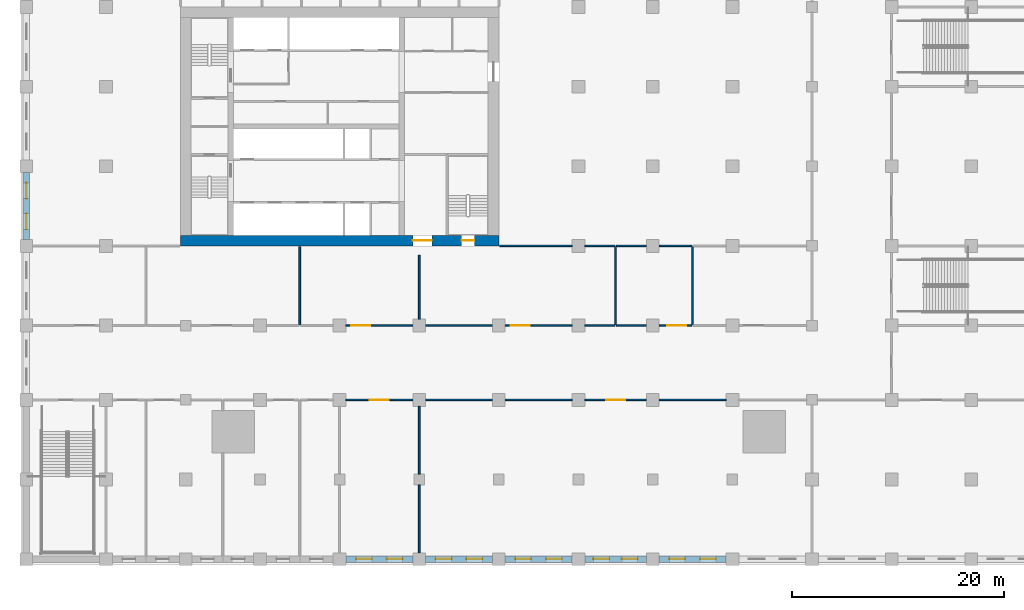
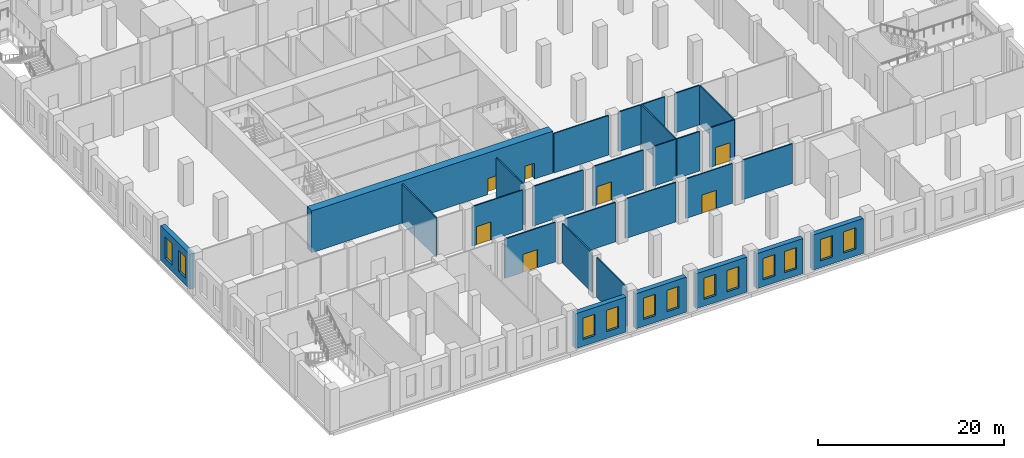
# One storey, part 4 of 25: 28 walls, 12 windows, 7 doors, 19 openings.
"""IFC4 building model written with IfcOpenShell, lengths in metres."""

from ifc_helpers import new_model, si_unit, direction, frame, frame_2d, origin, place, context, subcontext, project, spatial, rectangle, extrude, material, layer, layer_set, type_object, element, fill, save


model = new_model("IFC4")

# Units and contexts
model_context = context("Model", 3, precision=1e-05, world=origin(), true_north=direction((0.0, 1.0)))
body_context = subcontext(model_context, "Body", "Model", "MODEL_VIEW")
ifc_project = project(units=[si_unit("LENGTHUNIT", "METRE"), si_unit("AREAUNIT", "SQUARE_METRE"), si_unit("VOLUMEUNIT", "CUBIC_METRE"), si_unit("PLANEANGLEUNIT", "RADIAN"), si_unit("MASSUNIT", "GRAM", prefix="KILO")], contexts=[model_context])

# Site, building, storey
site_placement = place(None, origin())
site = spatial("IfcSite", under=ifc_project, at=site_placement, CompositionType="ELEMENT")
building_placement = place(site_placement, origin())
building = spatial("IfcBuilding", under=site, at=building_placement, Name="Tamorin Gate", CompositionType="ELEMENT")
storey_placement = place(building_placement, frame((0.0, 0.0, 23.5)))
storey = spatial("IfcBuildingStorey", under=building, at=storey_placement, Name="L04", CompositionType="ELEMENT", Elevation=23.5)

# Wall, opening, door
ifc_material_1 = material(Name="Concrete masonry C20/25", Category="masonry")
ifc_layer_1 = layer(ifc_material_1, 0.14990234375)
ifc_layer_set_1 = layer_set([ifc_layer_1], Name="Partition 150")
wall_type_1 = type_object("IfcWallType", Name="Partition 150", PredefinedType="PARTITIONING", material=ifc_layer_set_1)
wall_1_placement = place(storey_placement, frame((45.60009765625, 45.5, 0.0), z_axis=(0.0, 0.0, 1.0), x_axis=(1.0, 0.0, 0.0)))
wall_1 = element("IfcWall", 1, at=wall_1_placement, inside=storey, type_object=wall_type_1, Name="Partition 150 L04", PredefinedType="PARTITIONING", context=body_context, shape_type="SweptSolid", body=[
    extrude(rectangle(XDim=6.2998046875, YDim=0.14990234375, at=frame_2d((3.14990234375, 0.0))), origin(), (0.0, 0.0, 1.0), 5.199951171875),
])
opening_1_placement = place(wall_1_placement, frame((2.25, 0.0, 0.0)))
opening_1 = element("IfcOpeningElement", 2, at=opening_1_placement, cuts=wall_1, Name="Opening DP3", PredefinedType="OPENING", context=body_context, shape_type="SweptSolid", body=[
    extrude(rectangle(XDim=1.800048828125, YDim=2.39990234375, at=frame_2d((0.89990234375, 1.199951171875))), frame((0.0, 0.0849609375, 0.0), z_axis=(0.0, -1.0, 0.0), x_axis=(1.0, 0.0, 0.0)), (0.0, 0.0, 1.0), 0.169921875),
])
ifc_material_2 = material(Name="Steel and glass", Category="steel")
door_type_1 = type_object("IfcDoorType", Name="Door pair 1800", OperationType="DOUBLE_DOOR_SINGLE_SWING", PredefinedType="DOOR", material=ifc_material_2)
door_1_placement = place(opening_1_placement, origin())
door_1 = element("IfcDoor", 3, at=door_1_placement, inside=storey, type_object=door_type_1, Name="Door pair 1800 L04", OperationType="SINGLE_SWING_LEFT", OverallHeight=2.39990234375, OverallWidth=1.800048828125, PredefinedType="DOOR", context=body_context, shape_type="SweptSolid", body=[
    extrude(rectangle(XDim=1.800048828125, YDim=2.39990234375, at=frame_2d((0.89990234375, 1.199951171875))), frame((0.0, 0.02490234375, 0.0), z_axis=(0.0, -1.0, 0.0), x_axis=(1.0, 0.0, 0.0)), (0.0, 0.0, 1.0), 0.050048828125),
])
fill(opening_1, door_1)

# Walls
for number, where, z_axis, x_axis, name in (
    (4, (53.10009765625, 45.5, 0.0), (0.0, 0.0, 1.0), (1.0, 0.0, 0.0), "Partition 150 L04"),
    (5, (60.60009765625, 45.5, 0.0), (0.0, 0.0, 1.0), (1.0, 0.0, 0.0), "Partition 150 L04"),
):
    element("IfcWall", number, at=place(storey_placement, frame(where, z_axis=z_axis, x_axis=x_axis)), inside=storey, type_object=wall_type_1, Name=name, PredefinedType="PARTITIONING", context=body_context, shape_type="SweptSolid", body=[
        extrude(rectangle(XDim=6.2998046875, YDim=0.14990234375, at=frame_2d((3.14990234375, 0.0))), origin(), (0.0, 0.0, 1.0), 5.199951171875),
    ])

# Wall, opening, door
wall_2_placement = place(storey_placement, frame((68.10009765625, 45.5, 0.0), z_axis=(0.0, 0.0, 1.0), x_axis=(1.0, 0.0, 0.0)))
wall_2 = element("IfcWall", 6, at=wall_2_placement, inside=storey, type_object=wall_type_1, Name="Partition 150 L04", PredefinedType="PARTITIONING", context=body_context, shape_type="SweptSolid", body=[
    extrude(rectangle(XDim=5.7998046875, YDim=0.14990234375, at=frame_2d((2.89990234375, 0.0))), origin(), (0.0, 0.0, 1.0), 5.199951171875),
])
opening_2_placement = place(wall_2_placement, frame((2.0, 0.0, 0.0)))
opening_2 = element("IfcOpeningElement", 7, at=opening_2_placement, cuts=wall_2, Name="Opening DP3", PredefinedType="OPENING", context=body_context, shape_type="SweptSolid", body=[
    extrude(rectangle(XDim=1.800048828125, YDim=2.39990234375, at=frame_2d((0.89990234375, 1.199951171875))), frame((0.0, 0.0849609375, 0.0), z_axis=(0.0, -1.0, 0.0), x_axis=(1.0, 0.0, 0.0)), (0.0, 0.0, 1.0), 0.169921875),
])
door_2_placement = place(opening_2_placement, origin())
door_2 = element("IfcDoor", 8, at=door_2_placement, inside=storey, type_object=door_type_1, Name="Door pair 1800 L04", OperationType="SINGLE_SWING_LEFT", OverallHeight=2.39990234375, OverallWidth=1.800048828125, PredefinedType="DOOR", context=body_context, shape_type="SweptSolid", body=[
    extrude(rectangle(XDim=1.800048828125, YDim=2.39990234375, at=frame_2d((0.89990234375, 1.199951171875))), frame((0.0, 0.02490234375, 0.0), z_axis=(0.0, -1.0, 0.0), x_axis=(1.0, 0.0, 0.0)), (0.0, 0.0, 1.0), 0.050048828125),
])
fill(opening_2, door_2)

# Wall
wall_3_placement = place(storey_placement, frame((75.10009765625, 45.5, 0.0), z_axis=(0.0, 0.0, 1.0), x_axis=(1.0, 0.0, 0.0)))
element("IfcWall", 9, at=wall_3_placement, inside=storey, type_object=wall_type_1, Name="Partition 150 L04", PredefinedType="PARTITIONING", context=body_context, shape_type="SweptSolid", body=[
    extrude(rectangle(XDim=6.2998046875, YDim=0.14990234375, at=frame_2d((3.14990234375, 0.0))), origin(), (0.0, 0.0, 1.0), 5.199951171875),
])

# Wall, opening, door
wall_4_placement = place(storey_placement, frame((51.89990234375, 52.5, 0.0), z_axis=(0.0, 0.0, 1.0), x_axis=(-1.0, 0.0, 0.0)))
wall_4 = element("IfcWall", 10, at=wall_4_placement, inside=storey, type_object=wall_type_1, Name="Partition 150 L04", PredefinedType="PARTITIONING", context=body_context, shape_type="SweptSolid", body=[
    extrude(rectangle(XDim=6.2998046875, YDim=0.14990234375, at=frame_2d((3.14990234375, 0.0))), origin(), (0.0, 0.0, 1.0), 5.199951171875),
])
opening_3_placement = place(wall_4_placement, frame((4.0, 0.0, 0.0)))
opening_3 = element("IfcOpeningElement", 11, at=opening_3_placement, cuts=wall_4, Name="Opening DP3", PredefinedType="OPENING", context=body_context, shape_type="SweptSolid", body=[
    extrude(rectangle(XDim=1.800048828125, YDim=2.39990234375, at=frame_2d((0.89990234375, 1.199951171875))), frame((0.0, 0.0849609375, 0.0), z_axis=(0.0, -1.0, 0.0), x_axis=(1.0, 0.0, 0.0)), (0.0, 0.0, 1.0), 0.169921875),
])
door_3_placement = place(opening_3_placement, origin())
door_3 = element("IfcDoor", 12, at=door_3_placement, inside=storey, type_object=door_type_1, Name="Door pair 1800 L04", OperationType="SINGLE_SWING_LEFT", OverallHeight=2.39990234375, OverallWidth=1.800048828125, PredefinedType="DOOR", context=body_context, shape_type="SweptSolid", body=[
    extrude(rectangle(XDim=1.800048828125, YDim=2.39990234375, at=frame_2d((0.89990234375, 1.199951171875))), frame((0.0, 0.02490234375, 0.0), z_axis=(0.0, -1.0, 0.0), x_axis=(1.0, 0.0, 0.0)), (0.0, 0.0, 1.0), 0.050048828125),
])
fill(opening_3, door_3)

# Wall
wall_5_placement = place(storey_placement, frame((53.10009765625, 52.5, 0.0), z_axis=(0.0, 0.0, 1.0), x_axis=(1.0, 0.0, 0.0)))
element("IfcWall", 13, at=wall_5_placement, inside=storey, type_object=wall_type_1, Name="Partition 150 L04", PredefinedType="PARTITIONING", context=body_context, shape_type="SweptSolid", body=[
    extrude(rectangle(XDim=6.2998046875, YDim=0.14990234375, at=frame_2d((3.14990234375, 0.0))), origin(), (0.0, 0.0, 1.0), 5.199951171875),
])

# Wall, opening, door
wall_6_placement = place(storey_placement, frame((66.89990234375, 52.5, 0.0), z_axis=(0.0, 0.0, 1.0), x_axis=(-1.0, 0.0, 0.0)))
wall_6 = element("IfcWall", 14, at=wall_6_placement, inside=storey, type_object=wall_type_1, Name="Partition 150 L04", PredefinedType="PARTITIONING", context=body_context, shape_type="SweptSolid", body=[
    extrude(rectangle(XDim=6.2998046875, YDim=0.14990234375, at=frame_2d((3.14990234375, 0.0))), origin(), (0.0, 0.0, 1.0), 5.199951171875),
])
opening_4_placement = place(wall_6_placement, frame((4.0, 0.0, 0.0)))
opening_4 = element("IfcOpeningElement", 15, at=opening_4_placement, cuts=wall_6, Name="Opening DP3", PredefinedType="OPENING", context=body_context, shape_type="SweptSolid", body=[
    extrude(rectangle(XDim=1.800048828125, YDim=2.39990234375, at=frame_2d((0.89990234375, 1.199951171875))), frame((0.0, 0.0849609375, 0.0), z_axis=(0.0, -1.0, 0.0), x_axis=(1.0, 0.0, 0.0)), (0.0, 0.0, 1.0), 0.169921875),
])
door_4_placement = place(opening_4_placement, origin())
door_4 = element("IfcDoor", 16, at=door_4_placement, inside=storey, type_object=door_type_1, Name="Door pair 1800 L04", OperationType="SINGLE_SWING_LEFT", OverallHeight=2.39990234375, OverallWidth=1.800048828125, PredefinedType="DOOR", context=body_context, shape_type="SweptSolid", body=[
    extrude(rectangle(XDim=1.800048828125, YDim=2.39990234375, at=frame_2d((0.89990234375, 1.199951171875))), frame((0.0, 0.02490234375, 0.0), z_axis=(0.0, -1.0, 0.0), x_axis=(1.0, 0.0, 0.0)), (0.0, 0.0, 1.0), 0.050048828125),
])
fill(opening_4, door_4)

# Walls
for number, where, z_axis, x_axis, name in (
    (17, (68.10009765625, 52.5, 0.0), (0.0, 0.0, 1.0), (1.0, 0.0, 0.0), "Partition 150 L04"),
    (18, (71.074951171875, 52.5, 0.0), (0.0, 0.0, 1.0), (1.0, 0.0, 0.0), "Partition 150 L04"),
):
    element("IfcWall", number, at=place(storey_placement, frame(where, z_axis=z_axis, x_axis=x_axis)), inside=storey, type_object=wall_type_1, Name=name, PredefinedType="PARTITIONING", context=body_context, shape_type="SweptSolid", body=[
        extrude(rectangle(XDim=2.824951171875, YDim=0.14990234375, at=frame_2d((1.41259765625, 0.0))), origin(), (0.0, 0.0, 1.0), 5.199951171875),
    ])

# Wall, opening, door
wall_7_placement = place(storey_placement, frame((78.175048828125, 52.5, 0.0), z_axis=(0.0, 0.0, 1.0), x_axis=(-1.0, 0.0, 0.0)))
wall_7 = element("IfcWall", 19, at=wall_7_placement, inside=storey, type_object=wall_type_1, Name="Partition 150 L04", PredefinedType="PARTITIONING", context=body_context, shape_type="SweptSolid", body=[
    extrude(rectangle(XDim=3.074951171875, YDim=0.14990234375, at=frame_2d((1.53759765625, 0.0))), origin(), (0.0, 0.0, 1.0), 5.199951171875),
])
opening_5_placement = place(wall_7_placement, frame((0.52490234375, 0.0, 0.0)))
opening_5 = element("IfcOpeningElement", 20, at=opening_5_placement, cuts=wall_7, Name="Opening DP3", PredefinedType="OPENING", context=body_context, shape_type="SweptSolid", body=[
    extrude(rectangle(XDim=1.800048828125, YDim=2.39990234375, at=frame_2d((0.89990234375, 1.199951171875))), frame((0.0, 0.0849609375, 0.0), z_axis=(0.0, -1.0, 0.0), x_axis=(1.0, 0.0, 0.0)), (0.0, 0.0, 1.0), 0.169921875),
])
door_5_placement = place(opening_5_placement, origin())
door_5 = element("IfcDoor", 21, at=door_5_placement, inside=storey, type_object=door_type_1, Name="Door pair 1800 L04", OperationType="SINGLE_SWING_LEFT", OverallHeight=2.39990234375, OverallWidth=1.800048828125, PredefinedType="DOOR", context=body_context, shape_type="SweptSolid", body=[
    extrude(rectangle(XDim=1.800048828125, YDim=2.39990234375, at=frame_2d((0.89990234375, 1.199951171875))), frame((0.0, 0.02490234375, 0.0), z_axis=(0.0, -1.0, 0.0), x_axis=(1.0, 0.0, 0.0)), (0.0, 0.0, 1.0), 0.050048828125),
])
fill(opening_5, door_5)

# Walls
wall_8_placement = place(storey_placement, frame((60.074951171875, 60.0, 0.0), z_axis=(0.0, 0.0, 1.0), x_axis=(1.0, 0.0, 0.0)))
element("IfcWall", 22, at=wall_8_placement, inside=storey, type_object=wall_type_1, Name="Partition 150 L04", PredefinedType="PARTITIONING", context=body_context, shape_type="SweptSolid", body=[
    extrude(rectangle(XDim=6.824951171875, YDim=0.14990234375, at=frame_2d((3.41259765625, 0.0))), origin(), (0.0, 0.0, 1.0), 5.199951171875),
])
for number, where, z_axis, x_axis, name in (
    (23, (68.10009765625, 60.0, 0.0), (0.0, 0.0, 1.0), (1.0, 0.0, 0.0), "Partition 150 L04"),
    (24, (71.074951171875, 60.0, 0.0), (0.0, 0.0, 1.0), (1.0, 0.0, 0.0), "Partition 150 L04"),
):
    element("IfcWall", number, at=place(storey_placement, frame(where, z_axis=z_axis, x_axis=x_axis)), inside=storey, type_object=wall_type_1, Name=name, PredefinedType="PARTITIONING", context=body_context, shape_type="SweptSolid", body=[
        extrude(rectangle(XDim=2.824951171875, YDim=0.14990234375, at=frame_2d((1.41259765625, 0.0))), origin(), (0.0, 0.0, 1.0), 5.199951171875),
    ])
wall_9_placement = place(storey_placement, frame((75.10009765625, 60.0, 0.0), z_axis=(0.0, 0.0, 1.0), x_axis=(1.0, 0.0, 0.0)))
element("IfcWall", 25, at=wall_9_placement, inside=storey, type_object=wall_type_1, Name="Partition 150 L04", PredefinedType="PARTITIONING", context=body_context, shape_type="SweptSolid", body=[
    extrude(rectangle(XDim=3.074951171875, YDim=0.14990234375, at=frame_2d((1.53759765625, 0.0))), origin(), (0.0, 0.0, 1.0), 5.199951171875),
])
wall_10_placement = place(storey_placement, frame((41.25, 52.574951171875, 0.0), z_axis=(0.0, 0.0, 1.0), x_axis=(0.0, 1.0, 0.0)))
element("IfcWall", 26, at=wall_10_placement, inside=storey, type_object=wall_type_1, Name="Partition 150 L04", PredefinedType="PARTITIONING", context=body_context, shape_type="SweptSolid", body=[
    extrude(rectangle(XDim=7.35009765625, YDim=0.14990234375, at=frame_2d((3.675048828125, 0.0))), origin(), (0.0, 0.0, 1.0), 5.199951171875),
])
for number, where, z_axis, x_axis, name in (
    (27, (52.5, 31.10009765625, 0.0), (0.0, 0.0, 1.0), (0.0, 1.0, 0.0), "Partition 150 L04"),
    (28, (52.5, 38.5, 0.0), (0.0, 0.0, 1.0), (0.0, 1.0, 0.0), "Partition 150 L04"),
):
    element("IfcWall", number, at=place(storey_placement, frame(where, z_axis=z_axis, x_axis=x_axis)), inside=storey, type_object=wall_type_1, Name=name, PredefinedType="PARTITIONING", context=body_context, shape_type="SweptSolid", body=[
        extrude(rectangle(XDim=6.39990234375, YDim=0.14990234375, at=frame_2d((3.199951171875, 0.0))), origin(), (0.0, 0.0, 1.0), 5.199951171875),
    ])
wall_11_placement = place(storey_placement, frame((52.5, 53.10009765625, 0.0), z_axis=(0.0, 0.0, 1.0), x_axis=(0.0, 1.0, 0.0)))
element("IfcWall", 29, at=wall_11_placement, inside=storey, type_object=wall_type_1, Name="Partition 150 L04", PredefinedType="PARTITIONING", context=body_context, shape_type="SweptSolid", body=[
    extrude(rectangle(XDim=6.0, YDim=0.14990234375, at=frame_2d((3.0, 0.0))), origin(), (0.0, 0.0, 1.0), 5.199951171875),
])
for number, where, z_axis, x_axis, name in (
    (30, (71.0, 52.574951171875, 0.0), (0.0, 0.0, 1.0), (0.0, 1.0, 0.0), "Partition 150 L04"),
    (31, (78.25, 52.574951171875, 0.0), (0.0, 0.0, 1.0), (0.0, 1.0, 0.0), "Partition 150 L04"),
):
    element("IfcWall", number, at=place(storey_placement, frame(where, z_axis=z_axis, x_axis=x_axis)), inside=storey, type_object=wall_type_1, Name=name, PredefinedType="PARTITIONING", context=body_context, shape_type="SweptSolid", body=[
        extrude(rectangle(XDim=7.35009765625, YDim=0.14990234375, at=frame_2d((3.675048828125, 0.0))), origin(), (0.0, 0.0, 1.0), 5.199951171875),
    ])

# Wall, openings, windows
ifc_material_3 = material(Name="Precast concrete C40/50", Category="concrete")
ifc_layer_2 = layer(ifc_material_3, 0.60009765625)
ifc_layer_set_2 = layer_set([ifc_layer_2], Name="Precast concrete C40/50")
wall_type_2 = type_object("IfcWallType", Name="Precast plinth wall 600", PredefinedType="PARTITIONING", material=ifc_layer_set_2)
wall_12_placement = place(storey_placement, frame((45.60009765625, 30.5, 0.0), z_axis=(0.0, 0.0, 1.0), x_axis=(1.0, 0.0, 0.0)))
wall_12 = element("IfcWall", 32, at=wall_12_placement, inside=storey, type_object=wall_type_2, Name="Precast plinth wall 600 L04", PredefinedType="PARTITIONING", context=body_context, shape_type="SweptSolid", body=[
    extrude(rectangle(XDim=6.2998046875, YDim=0.60009765625, at=frame_2d((3.14990234375, 0.0))), origin(), (0.0, 0.0, 1.0), 4.60009765625),
])
opening_6_placement = place(wall_12_placement, frame((0.950927734375, 0.0, 0.89990234375)))
opening_6 = element("IfcOpeningElement", 33, at=opening_6_placement, cuts=wall_12, Name="Opening PWN5", PredefinedType="OPENING", context=body_context, shape_type="SweptSolid", body=[
    extrude(rectangle(XDim=1.5, YDim=2.800048828125, at=frame_2d((0.75, 1.39990234375))), frame((0.0, 0.31005859375, 0.0), z_axis=(0.0, -1.0, 0.0), x_axis=(1.0, 0.0, 0.0)), (0.0, 0.0, 1.0), 0.6201171875),
])
opening_7_placement = place(wall_12_placement, frame((3.84912109375, 0.0, 0.89990234375)))
opening_7 = element("IfcOpeningElement", 34, at=opening_7_placement, cuts=wall_12, Name="Opening PWN5", PredefinedType="OPENING", context=body_context, shape_type="SweptSolid", body=[
    extrude(rectangle(XDim=1.5, YDim=2.800048828125, at=frame_2d((0.75, 1.39990234375))), frame((0.0, 0.31005859375, 0.0), z_axis=(0.0, -1.0, 0.0), x_axis=(1.0, 0.0, 0.0)), (0.0, 0.0, 1.0), 0.6201171875),
])
ifc_material_4 = material(Name="Aluminium and glass", Category="aluminium")
window_type = type_object("IfcWindowType", Name="Plinth window 1500x2800", PartitioningType="DOUBLE_PANEL_VERTICAL", PredefinedType="WINDOW", material=ifc_material_4)
window_1_placement = place(opening_6_placement, origin())
window_1 = element("IfcWindow", 35, at=window_1_placement, inside=storey, type_object=window_type, Name="Plinth window 1500x2800", OverallHeight=2.800048828125, OverallWidth=1.5, PartitioningType="SINGLE_PANEL", PredefinedType="WINDOW", context=body_context, shape_type="SweptSolid", body=[
    extrude(rectangle(XDim=1.5, YDim=2.800048828125, at=frame_2d((0.75, 1.39990234375))), frame((0.0, 0.030029296875, 0.0), z_axis=(0.0, -1.0, 0.0), x_axis=(1.0, 0.0, 0.0)), (0.0, 0.0, 1.0), 0.06005859375),
])
fill(opening_6, window_1)
window_2_placement = place(opening_7_placement, origin())
window_2 = element("IfcWindow", 36, at=window_2_placement, inside=storey, type_object=window_type, Name="Plinth window 1500x2800", OverallHeight=2.800048828125, OverallWidth=1.5, PartitioningType="SINGLE_PANEL", PredefinedType="WINDOW", context=body_context, shape_type="SweptSolid", body=[
    extrude(rectangle(XDim=1.5, YDim=2.800048828125, at=frame_2d((0.75, 1.39990234375))), frame((0.0, 0.030029296875, 0.0), z_axis=(0.0, -1.0, 0.0), x_axis=(1.0, 0.0, 0.0)), (0.0, 0.0, 1.0), 0.06005859375),
])
fill(opening_7, window_2)

wall_13_placement = place(storey_placement, frame((53.10009765625, 30.5, 0.0), z_axis=(0.0, 0.0, 1.0), x_axis=(1.0, 0.0, 0.0)))
wall_13 = element("IfcWall", 37, at=wall_13_placement, inside=storey, type_object=wall_type_2, Name="Precast plinth wall 600 L04", PredefinedType="PARTITIONING", context=body_context, shape_type="SweptSolid", body=[
    extrude(rectangle(XDim=6.2998046875, YDim=0.60009765625, at=frame_2d((3.14990234375, 0.0))), origin(), (0.0, 0.0, 1.0), 4.60009765625),
])
opening_8_placement = place(wall_13_placement, frame((0.950927734375, 0.0, 0.89990234375)))
opening_8 = element("IfcOpeningElement", 38, at=opening_8_placement, cuts=wall_13, Name="Opening PWN5", PredefinedType="OPENING", context=body_context, shape_type="SweptSolid", body=[
    extrude(rectangle(XDim=1.5, YDim=2.800048828125, at=frame_2d((0.75, 1.39990234375))), frame((0.0, 0.31005859375, 0.0), z_axis=(0.0, -1.0, 0.0), x_axis=(1.0, 0.0, 0.0)), (0.0, 0.0, 1.0), 0.6201171875),
])
opening_9_placement = place(wall_13_placement, frame((3.84912109375, 0.0, 0.89990234375)))
opening_9 = element("IfcOpeningElement", 39, at=opening_9_placement, cuts=wall_13, Name="Opening PWN5", PredefinedType="OPENING", context=body_context, shape_type="SweptSolid", body=[
    extrude(rectangle(XDim=1.5, YDim=2.800048828125, at=frame_2d((0.75, 1.39990234375))), frame((0.0, 0.31005859375, 0.0), z_axis=(0.0, -1.0, 0.0), x_axis=(1.0, 0.0, 0.0)), (0.0, 0.0, 1.0), 0.6201171875),
])
window_3_placement = place(opening_8_placement, origin())
window_3 = element("IfcWindow", 40, at=window_3_placement, inside=storey, type_object=window_type, Name="Plinth window 1500x2800", OverallHeight=2.800048828125, OverallWidth=1.5, PartitioningType="SINGLE_PANEL", PredefinedType="WINDOW", context=body_context, shape_type="SweptSolid", body=[
    extrude(rectangle(XDim=1.5, YDim=2.800048828125, at=frame_2d((0.75, 1.39990234375))), frame((0.0, 0.030029296875, 0.0), z_axis=(0.0, -1.0, 0.0), x_axis=(1.0, 0.0, 0.0)), (0.0, 0.0, 1.0), 0.06005859375),
])
fill(opening_8, window_3)
window_4_placement = place(opening_9_placement, origin())
window_4 = element("IfcWindow", 41, at=window_4_placement, inside=storey, type_object=window_type, Name="Plinth window 1500x2800", OverallHeight=2.800048828125, OverallWidth=1.5, PartitioningType="SINGLE_PANEL", PredefinedType="WINDOW", context=body_context, shape_type="SweptSolid", body=[
    extrude(rectangle(XDim=1.5, YDim=2.800048828125, at=frame_2d((0.75, 1.39990234375))), frame((0.0, 0.030029296875, 0.0), z_axis=(0.0, -1.0, 0.0), x_axis=(1.0, 0.0, 0.0)), (0.0, 0.0, 1.0), 0.06005859375),
])
fill(opening_9, window_4)

wall_14_placement = place(storey_placement, frame((60.60009765625, 30.5, 0.0), z_axis=(0.0, 0.0, 1.0), x_axis=(1.0, 0.0, 0.0)))
wall_14 = element("IfcWall", 42, at=wall_14_placement, inside=storey, type_object=wall_type_2, Name="Precast plinth wall 600 L04", PredefinedType="PARTITIONING", context=body_context, shape_type="SweptSolid", body=[
    extrude(rectangle(XDim=6.2998046875, YDim=0.60009765625, at=frame_2d((3.14990234375, 0.0))), origin(), (0.0, 0.0, 1.0), 4.60009765625),
])
opening_10_placement = place(wall_14_placement, frame((0.950927734375, 0.0, 0.89990234375)))
opening_10 = element("IfcOpeningElement", 43, at=opening_10_placement, cuts=wall_14, Name="Opening PWN5", PredefinedType="OPENING", context=body_context, shape_type="SweptSolid", body=[
    extrude(rectangle(XDim=1.5, YDim=2.800048828125, at=frame_2d((0.75, 1.39990234375))), frame((0.0, 0.31005859375, 0.0), z_axis=(0.0, -1.0, 0.0), x_axis=(1.0, 0.0, 0.0)), (0.0, 0.0, 1.0), 0.6201171875),
])
opening_11_placement = place(wall_14_placement, frame((3.84912109375, 0.0, 0.89990234375)))
opening_11 = element("IfcOpeningElement", 44, at=opening_11_placement, cuts=wall_14, Name="Opening PWN5", PredefinedType="OPENING", context=body_context, shape_type="SweptSolid", body=[
    extrude(rectangle(XDim=1.5, YDim=2.800048828125, at=frame_2d((0.75, 1.39990234375))), frame((0.0, 0.31005859375, 0.0), z_axis=(0.0, -1.0, 0.0), x_axis=(1.0, 0.0, 0.0)), (0.0, 0.0, 1.0), 0.6201171875),
])
window_5_placement = place(opening_10_placement, origin())
window_5 = element("IfcWindow", 45, at=window_5_placement, inside=storey, type_object=window_type, Name="Plinth window 1500x2800", OverallHeight=2.800048828125, OverallWidth=1.5, PartitioningType="SINGLE_PANEL", PredefinedType="WINDOW", context=body_context, shape_type="SweptSolid", body=[
    extrude(rectangle(XDim=1.5, YDim=2.800048828125, at=frame_2d((0.75, 1.39990234375))), frame((0.0, 0.030029296875, 0.0), z_axis=(0.0, -1.0, 0.0), x_axis=(1.0, 0.0, 0.0)), (0.0, 0.0, 1.0), 0.06005859375),
])
fill(opening_10, window_5)
window_6_placement = place(opening_11_placement, origin())
window_6 = element("IfcWindow", 46, at=window_6_placement, inside=storey, type_object=window_type, Name="Plinth window 1500x2800", OverallHeight=2.800048828125, OverallWidth=1.5, PartitioningType="SINGLE_PANEL", PredefinedType="WINDOW", context=body_context, shape_type="SweptSolid", body=[
    extrude(rectangle(XDim=1.5, YDim=2.800048828125, at=frame_2d((0.75, 1.39990234375))), frame((0.0, 0.030029296875, 0.0), z_axis=(0.0, -1.0, 0.0), x_axis=(1.0, 0.0, 0.0)), (0.0, 0.0, 1.0), 0.06005859375),
])
fill(opening_11, window_6)

wall_15_placement = place(storey_placement, frame((68.10009765625, 30.5, 0.0), z_axis=(0.0, 0.0, 1.0), x_axis=(1.0, 0.0, 0.0)))
wall_15 = element("IfcWall", 47, at=wall_15_placement, inside=storey, type_object=wall_type_2, Name="Precast plinth wall 600 L04", PredefinedType="PARTITIONING", context=body_context, shape_type="SweptSolid", body=[
    extrude(rectangle(XDim=5.7998046875, YDim=0.60009765625, at=frame_2d((2.89990234375, 0.0))), origin(), (0.0, 0.0, 1.0), 4.60009765625),
])
opening_12_placement = place(wall_15_placement, frame((0.81591796875, 0.0, 0.89990234375)))
opening_12 = element("IfcOpeningElement", 48, at=opening_12_placement, cuts=wall_15, Name="Opening PWN5", PredefinedType="OPENING", context=body_context, shape_type="SweptSolid", body=[
    extrude(rectangle(XDim=1.5, YDim=2.800048828125, at=frame_2d((0.75, 1.39990234375))), frame((0.0, 0.31005859375, 0.0), z_axis=(0.0, -1.0, 0.0), x_axis=(1.0, 0.0, 0.0)), (0.0, 0.0, 1.0), 0.6201171875),
])
opening_13_placement = place(wall_15_placement, frame((3.48388671875, 0.0, 0.89990234375)))
opening_13 = element("IfcOpeningElement", 49, at=opening_13_placement, cuts=wall_15, Name="Opening PWN5", PredefinedType="OPENING", context=body_context, shape_type="SweptSolid", body=[
    extrude(rectangle(XDim=1.5, YDim=2.800048828125, at=frame_2d((0.75, 1.39990234375))), frame((0.0, 0.31005859375, 0.0), z_axis=(0.0, -1.0, 0.0), x_axis=(1.0, 0.0, 0.0)), (0.0, 0.0, 1.0), 0.6201171875),
])
window_7_placement = place(opening_12_placement, origin())
window_7 = element("IfcWindow", 50, at=window_7_placement, inside=storey, type_object=window_type, Name="Plinth window 1500x2800", OverallHeight=2.800048828125, OverallWidth=1.5, PartitioningType="SINGLE_PANEL", PredefinedType="WINDOW", context=body_context, shape_type="SweptSolid", body=[
    extrude(rectangle(XDim=1.5, YDim=2.800048828125, at=frame_2d((0.75, 1.39990234375))), frame((0.0, 0.030029296875, 0.0), z_axis=(0.0, -1.0, 0.0), x_axis=(1.0, 0.0, 0.0)), (0.0, 0.0, 1.0), 0.06005859375),
])
fill(opening_12, window_7)
window_8_placement = place(opening_13_placement, origin())
window_8 = element("IfcWindow", 51, at=window_8_placement, inside=storey, type_object=window_type, Name="Plinth window 1500x2800", OverallHeight=2.800048828125, OverallWidth=1.5, PartitioningType="SINGLE_PANEL", PredefinedType="WINDOW", context=body_context, shape_type="SweptSolid", body=[
    extrude(rectangle(XDim=1.5, YDim=2.800048828125, at=frame_2d((0.75, 1.39990234375))), frame((0.0, 0.030029296875, 0.0), z_axis=(0.0, -1.0, 0.0), x_axis=(1.0, 0.0, 0.0)), (0.0, 0.0, 1.0), 0.06005859375),
])
fill(opening_13, window_8)

wall_16_placement = place(storey_placement, frame((75.10009765625, 30.5, 0.0), z_axis=(0.0, 0.0, 1.0), x_axis=(1.0, 0.0, 0.0)))
wall_16 = element("IfcWall", 52, at=wall_16_placement, inside=storey, type_object=wall_type_2, Name="Precast plinth wall 600 L04", PredefinedType="PARTITIONING", context=body_context, shape_type="SweptSolid", body=[
    extrude(rectangle(XDim=6.2998046875, YDim=0.60009765625, at=frame_2d((3.14990234375, 0.0))), origin(), (0.0, 0.0, 1.0), 4.60009765625),
])
opening_14_placement = place(wall_16_placement, frame((0.950927734375, 0.0, 0.89990234375)))
opening_14 = element("IfcOpeningElement", 53, at=opening_14_placement, cuts=wall_16, Name="Opening PWN5", PredefinedType="OPENING", context=body_context, shape_type="SweptSolid", body=[
    extrude(rectangle(XDim=1.5, YDim=2.800048828125, at=frame_2d((0.75, 1.39990234375))), frame((0.0, 0.31005859375, 0.0), z_axis=(0.0, -1.0, 0.0), x_axis=(1.0, 0.0, 0.0)), (0.0, 0.0, 1.0), 0.6201171875),
])
opening_15_placement = place(wall_16_placement, frame((3.84912109375, 0.0, 0.89990234375)))
opening_15 = element("IfcOpeningElement", 54, at=opening_15_placement, cuts=wall_16, Name="Opening PWN5", PredefinedType="OPENING", context=body_context, shape_type="SweptSolid", body=[
    extrude(rectangle(XDim=1.5, YDim=2.800048828125, at=frame_2d((0.75, 1.39990234375))), frame((0.0, 0.31005859375, 0.0), z_axis=(0.0, -1.0, 0.0), x_axis=(1.0, 0.0, 0.0)), (0.0, 0.0, 1.0), 0.6201171875),
])
window_9_placement = place(opening_14_placement, origin())
window_9 = element("IfcWindow", 55, at=window_9_placement, inside=storey, type_object=window_type, Name="Plinth window 1500x2800", OverallHeight=2.800048828125, OverallWidth=1.5, PartitioningType="SINGLE_PANEL", PredefinedType="WINDOW", context=body_context, shape_type="SweptSolid", body=[
    extrude(rectangle(XDim=1.5, YDim=2.800048828125, at=frame_2d((0.75, 1.39990234375))), frame((0.0, 0.030029296875, 0.0), z_axis=(0.0, -1.0, 0.0), x_axis=(1.0, 0.0, 0.0)), (0.0, 0.0, 1.0), 0.06005859375),
])
fill(opening_14, window_9)
window_10_placement = place(opening_15_placement, origin())
window_10 = element("IfcWindow", 56, at=window_10_placement, inside=storey, type_object=window_type, Name="Plinth window 1500x2800", OverallHeight=2.800048828125, OverallWidth=1.5, PartitioningType="SINGLE_PANEL", PredefinedType="WINDOW", context=body_context, shape_type="SweptSolid", body=[
    extrude(rectangle(XDim=1.5, YDim=2.800048828125, at=frame_2d((0.75, 1.39990234375))), frame((0.0, 0.030029296875, 0.0), z_axis=(0.0, -1.0, 0.0), x_axis=(1.0, 0.0, 0.0)), (0.0, 0.0, 1.0), 0.06005859375),
])
fill(opening_15, window_10)

wall_17_placement = place(storey_placement, frame((15.5, 60.60009765625, 0.0), z_axis=(0.0, 0.0, 1.0), x_axis=(0.0, 1.0, 0.0)))
wall_17 = element("IfcWall", 57, at=wall_17_placement, inside=storey, type_object=wall_type_2, Name="Precast plinth wall 600 L04", PredefinedType="PARTITIONING", context=body_context, shape_type="SweptSolid", body=[
    extrude(rectangle(XDim=6.2998046875, YDim=0.60009765625, at=frame_2d((3.14990234375, 0.0))), origin(), (0.0, 0.0, 1.0), 4.60009765625),
])
opening_16_placement = place(wall_17_placement, frame((0.950927734375, 0.0, 0.89990234375)))
opening_16 = element("IfcOpeningElement", 58, at=opening_16_placement, cuts=wall_17, Name="Opening PWN5", PredefinedType="OPENING", context=body_context, shape_type="SweptSolid", body=[
    extrude(rectangle(XDim=1.5, YDim=2.800048828125, at=frame_2d((0.75, 1.39990234375))), frame((0.0, 0.31005859375, 0.0), z_axis=(0.0, -1.0, 0.0), x_axis=(1.0, 0.0, 0.0)), (0.0, 0.0, 1.0), 0.6201171875),
])
opening_17_placement = place(wall_17_placement, frame((3.84912109375, 0.0, 0.89990234375)))
opening_17 = element("IfcOpeningElement", 59, at=opening_17_placement, cuts=wall_17, Name="Opening PWN5", PredefinedType="OPENING", context=body_context, shape_type="SweptSolid", body=[
    extrude(rectangle(XDim=1.5, YDim=2.800048828125, at=frame_2d((0.75, 1.39990234375))), frame((0.0, 0.31005859375, 0.0), z_axis=(0.0, -1.0, 0.0), x_axis=(1.0, 0.0, 0.0)), (0.0, 0.0, 1.0), 0.6201171875),
])
window_11_placement = place(opening_16_placement, origin())
window_11 = element("IfcWindow", 60, at=window_11_placement, inside=storey, type_object=window_type, Name="Plinth window 1500x2800", OverallHeight=2.800048828125, OverallWidth=1.5, PartitioningType="SINGLE_PANEL", PredefinedType="WINDOW", context=body_context, shape_type="SweptSolid", body=[
    extrude(rectangle(XDim=1.5, YDim=2.800048828125, at=frame_2d((0.75, 1.39990234375))), frame((0.0, 0.030029296875, 0.0), z_axis=(0.0, -1.0, 0.0), x_axis=(1.0, 0.0, 0.0)), (0.0, 0.0, 1.0), 0.06005859375),
])
fill(opening_16, window_11)
window_12_placement = place(opening_17_placement, origin())
window_12 = element("IfcWindow", 61, at=window_12_placement, inside=storey, type_object=window_type, Name="Plinth window 1500x2800", OverallHeight=2.800048828125, OverallWidth=1.5, PartitioningType="SINGLE_PANEL", PredefinedType="WINDOW", context=body_context, shape_type="SweptSolid", body=[
    extrude(rectangle(XDim=1.5, YDim=2.800048828125, at=frame_2d((0.75, 1.39990234375))), frame((0.0, 0.030029296875, 0.0), z_axis=(0.0, -1.0, 0.0), x_axis=(1.0, 0.0, 0.0)), (0.0, 0.0, 1.0), 0.06005859375),
])
fill(opening_17, window_12)

# Wall, openings, doors
ifc_material_5 = material(Name="Concrete C80/95", Category="concrete")
ifc_layer_3 = layer(ifc_material_5, 1.0)
ifc_layer_set_3 = layer_set([ifc_layer_3], Name="RC core wall 1000 C80/95")
wall_type_3 = type_object("IfcWallType", Name="RC core wall 1000 C80/95", PredefinedType="SHEAR", material=ifc_layer_set_3)
wall_18_placement = place(storey_placement, frame((30.0, 60.5, 0.0), z_axis=(0.0, 0.0, 1.0), x_axis=(1.0, 0.0, 0.0)))
wall_18 = element("IfcWall", 62, at=wall_18_placement, inside=storey, type_object=wall_type_3, Name="Core wall L04", PredefinedType="SHEAR", context=body_context, shape_type="SweptSolid", body=[
    extrude(rectangle(XDim=30.0, YDim=1.0, at=frame_2d((15.0, 0.0))), origin(), (0.0, 0.0, 1.0), 5.5),
])
opening_18_placement = place(wall_18_placement, frame((21.89990234375, 0.0, 0.0)))
opening_18 = element("IfcOpeningElement", 63, at=opening_18_placement, cuts=wall_18, Name="Opening DE1", PredefinedType="OPENING", context=body_context, shape_type="SweptSolid", body=[
    extrude(rectangle(XDim=1.800048828125, YDim=2.10009765625, at=frame_2d((0.89990234375, 1.050048828125))), frame((0.0, 0.510009765625, 0.0), z_axis=(0.0, -1.0, 0.0), x_axis=(1.0, 0.0, 0.0)), (0.0, 0.0, 1.0), 1.02001953125),
])
opening_19_placement = place(wall_18_placement, frame((26.5, 0.0, 0.0)))
opening_19 = element("IfcOpeningElement", 64, at=opening_19_placement, cuts=wall_18, Name="Opening DS1", PredefinedType="OPENING", context=body_context, shape_type="SweptSolid", body=[
    extrude(rectangle(XDim=1.199951171875, YDim=2.10009765625, at=frame_2d((0.60009765625, 1.050048828125))), frame((0.0, 0.510009765625, 0.0), z_axis=(0.0, -1.0, 0.0), x_axis=(1.0, 0.0, 0.0)), (0.0, 0.0, 1.0), 1.02001953125),
])
ifc_material_6 = material(Name="Steel fire door", Category="steel")
door_type_2 = type_object("IfcDoorType", Name="Lobby exit double door 1800 x 2100 EI 60", OperationType="DOUBLE_DOOR_SINGLE_SWING", PredefinedType="DOOR", material=ifc_material_6)
door_6_placement = place(opening_18_placement, origin())
door_6 = element("IfcDoor", 65, at=door_6_placement, inside=storey, type_object=door_type_2, Name="Lift lobby A exit door", OperationType="DOUBLE_DOOR_SINGLE_SWING", OverallHeight=2.10009765625, OverallWidth=1.800048828125, PredefinedType="DOOR", context=body_context, shape_type="SweptSolid", body=[
    extrude(rectangle(XDim=1.800048828125, YDim=2.10009765625, at=frame_2d((0.89990234375, 1.050048828125))), frame((0.0, 0.02490234375, 0.0), z_axis=(0.0, -1.0, 0.0), x_axis=(1.0, 0.0, 0.0)), (0.0, 0.0, 1.0), 0.050048828125),
])
fill(opening_18, door_6)
door_type_3 = type_object("IfcDoorType", Name="Stair door 1200 x 2100 EI 90", OperationType="SINGLE_SWING_LEFT", PredefinedType="DOOR", material=ifc_material_6)
door_7_placement = place(opening_19_placement, origin())
door_7 = element("IfcDoor", 66, at=door_7_placement, inside=storey, type_object=door_type_3, Name="ST3 door", OperationType="SINGLE_SWING_LEFT", OverallHeight=2.10009765625, OverallWidth=1.199951171875, PredefinedType="DOOR", context=body_context, shape_type="SweptSolid", body=[
    extrude(rectangle(XDim=1.199951171875, YDim=2.10009765625, at=frame_2d((0.60009765625, 1.050048828125))), frame((0.0, 0.02490234375, 0.0), z_axis=(0.0, -1.0, 0.0), x_axis=(1.0, 0.0, 0.0)), (0.0, 0.0, 1.0), 0.050048828125),
])
fill(opening_19, door_7)

save(model, "model.ifc")
